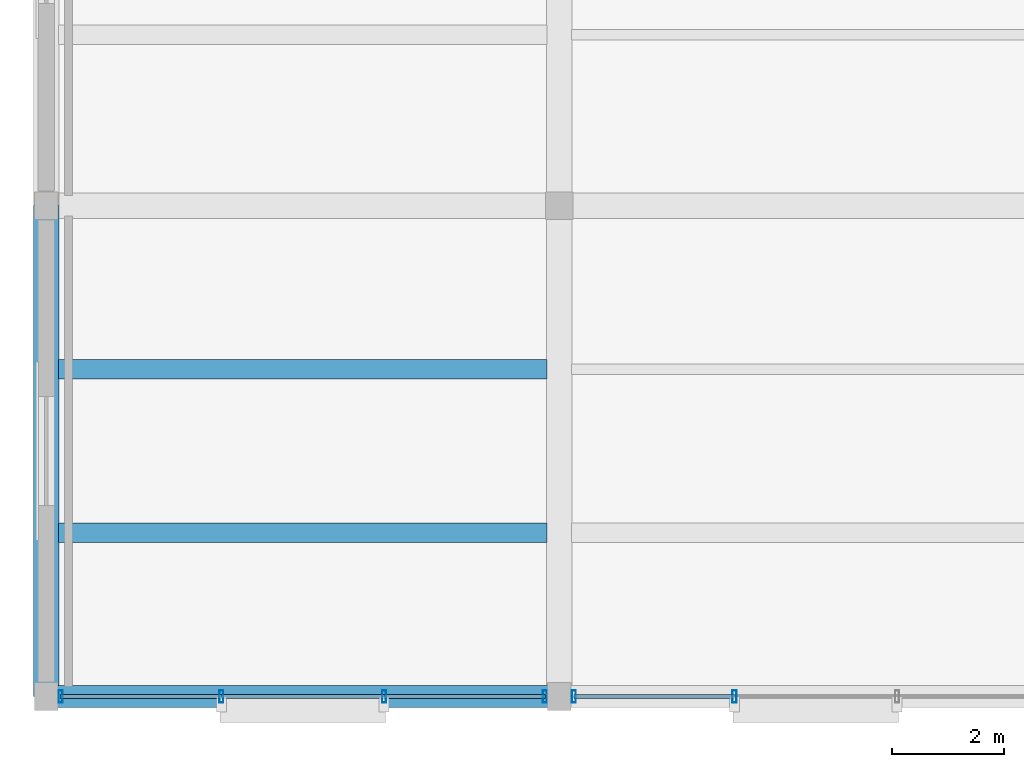
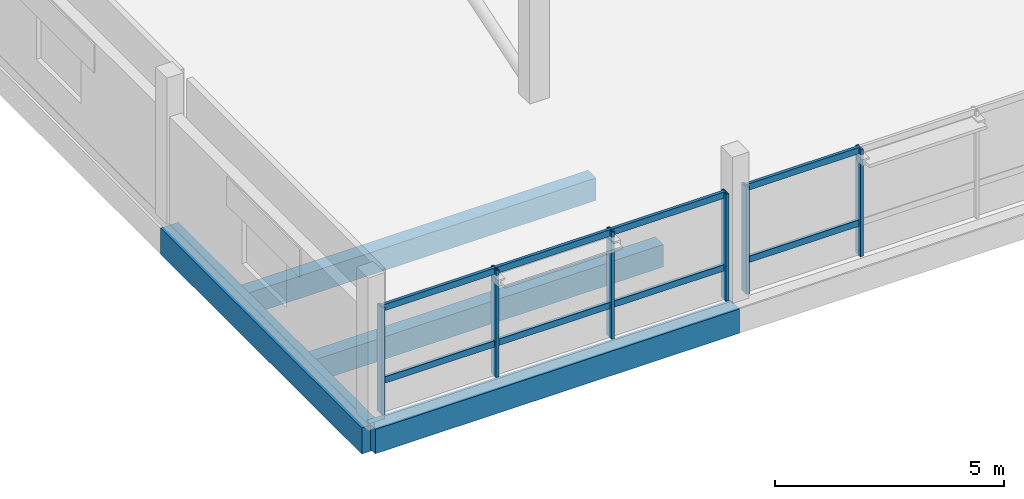
# One storey, part 6 of 62: 14 members, 4 beams, 2 elements without a shape of their own.
"""IFC4 building model written with IfcOpenShell, lengths in metres."""

from ifc_helpers import new_model, si_unit, direction, frame, origin, origin_2d, place, context, subcontext, project, spatial, rectangle, hollow_rectangle, extrude, material, layer, layer_set, material_profile, profile_set, type_object, element, aggregate, save


model = new_model("IFC4")

# Units and contexts
model_context = context("Model", 3, precision=1e-05, world=origin(), true_north=direction((0.0, 1.0)))
body_context = subcontext(model_context, "Body", "Model", "MODEL_VIEW")
ifc_project = project(units=[si_unit("LENGTHUNIT", "METRE"), si_unit("AREAUNIT", "SQUARE_METRE"), si_unit("VOLUMEUNIT", "CUBIC_METRE"), si_unit("PLANEANGLEUNIT", "RADIAN"), si_unit("MASSUNIT", "GRAM", prefix="KILO")], contexts=[model_context])

# Site, building, storey
site_placement = place(None, origin())
site = spatial("IfcSite", under=ifc_project, at=site_placement, CompositionType="ELEMENT")
building_placement = place(site_placement, origin())
building = spatial("IfcBuilding", under=site, at=building_placement, Name="Meriwether Solvik Hall", CompositionType="ELEMENT")
storey_placement = place(building_placement, frame((0.0, 0.0, 14.39990234375)))
storey = spatial("IfcBuildingStorey", under=building, at=storey_placement, Name="L03", CompositionType="ELEMENT", Elevation=14.39990234375)

# Beams
ifc_material_1 = material(Name="Concrete C40/50", Category="concrete")
ifc_material_profile_1 = material_profile(ifc_material_1, rectangle(XDim=0.35009765625, YDim=0.60009765625, at=origin_2d()), Name="RCB-350X600")
ifc_profile_set_1 = profile_set([ifc_material_profile_1], Name="Concrete C40/50")
beam_type_1 = type_object("IfcBeamType", Name="BM-RC-350X600", PredefinedType="JOIST", material=ifc_profile_set_1)
for number, where, z_axis, x_axis, name in (
    (1, (59.6201171875, 8.13330078125, -0.544921875), (1.0, 0.0, 0.0), (0.0, 1.0, 0.0), "Secondary Floor Joist 7/A_J1 (L03)"),
    (2, (59.6201171875, 11.066650390625, -0.544921875), (1.0, 0.0, 0.0), (0.0, 1.0, 0.0), "Secondary Floor Joist 7/A_J2 (L03)"),
):
    element("IfcBeam", number, at=place(storey_placement, frame(where, z_axis=z_axis, x_axis=x_axis)), inside=storey, type_object=beam_type_1, Name=name, PredefinedType="JOIST", context=body_context, shape_type="SweptSolid", body=[
        extrude(rectangle(XDim=0.35009765625, YDim=0.60009765625, at=origin_2d()), origin(), (0.0, 0.0, 1.0), 8.759765625),
    ])
ifc_material_2 = material(Name="Concrete C40/50", Category="concrete")
ifc_material_profile_2 = material_profile(ifc_material_2, rectangle(XDim=0.39990234375, YDim=0.64990234375, at=origin_2d()), Name="RCB-400X650")
ifc_profile_set_2 = profile_set([ifc_material_profile_2], Name="Concrete C40/50")
beam_type_2 = type_object("IfcBeamType", Name="BM-RC-400X650", PredefinedType="SPANDREL", material=ifc_profile_set_2)
beam_1_placement = place(storey_placement, frame((59.39990234375, 5.199951171875, -0.56982421875), z_axis=(1.0, 0.0, 0.0), x_axis=(0.0, 1.0, 0.0)))
element("IfcBeam", 3, at=beam_1_placement, inside=storey, type_object=beam_type_2, Name="Podium Girder A:7-8 (L03)", PredefinedType="SPANDREL", context=body_context, shape_type="SweptSolid", body=[
    extrude(rectangle(XDim=0.39990234375, YDim=0.64990234375, at=origin_2d()), origin(), (0.0, 0.0, 1.0), 9.2001953125),
])
ifc_material_3 = material(Name="Concrete C40/50", Category="concrete")
ifc_material_profile_3 = material_profile(ifc_material_3, rectangle(XDim=0.449951171875, YDim=0.699951171875, at=origin_2d()), Name="RCB-450X700")
ifc_profile_set_3 = profile_set([ifc_material_profile_3], Name="Concrete C40/50")
beam_type_3 = type_object("IfcBeamType", Name="BM-RC-450X700", PredefinedType="BEAM", material=ifc_profile_set_3)
beam_2_placement = place(storey_placement, frame((59.39990234375, 5.199951171875, -0.594970703125), z_axis=(0.0, 1.0, 0.0), x_axis=(-1.0, 0.0, 0.0)))
element("IfcBeam", 4, at=beam_2_placement, inside=storey, type_object=beam_type_3, Name="Podium Girder 7:A-B (L03)", PredefinedType="BEAM", context=body_context, shape_type="SweptSolid", body=[
    extrude(rectangle(XDim=0.449951171875, YDim=0.699951171875, at=origin_2d()), origin(), (0.0, 0.0, 1.0), 8.800048828125),
])

# Curtain wall, members
ifc_material_4 = material(Name="Thermally Broken Anodised Aluminium 6063-T6 and Low-E Glass", Category="aluminium")
ifc_layer = layer(ifc_material_4, 0.179931640625)
ifc_layer_set = layer_set([ifc_layer], Name="Thermally Broken Anodised Aluminium 6063-T6 and Low-E Glass")
curtain_wall_type = type_object("IfcCurtainWallType", Name="CW-UNIT-E", PredefinedType="USERDEFINED", material=ifc_layer_set)
curtain_wall_1_placement = place(storey_placement, origin())
curtain_wall_1 = element("IfcCurtainWall", 5, at=curtain_wall_1_placement, inside=storey, type_object=curtain_wall_type, Name="Curtain Wall wing_XA_7_0 (L03)", ObjectType="UNITISED CURTAIN WALL", PredefinedType="USERDEFINED")
ifc_material_5 = material(Name="Anodised Aluminium 6063-T6", Category="aluminium")
ifc_material_profile_4 = material_profile(ifc_material_5, hollow_rectangle(XDim=0.074951171875, YDim=0.219970703125, WallThickness=0.005615234375, at=origin_2d()), Name="CWM-75X220")
ifc_profile_set_4 = profile_set([ifc_material_profile_4], Name="Anodised Aluminium 6063-T6")
member_type_1 = type_object("IfcMemberType", Name="CW-MUL-75X220", PredefinedType="MULLION", material=ifc_profile_set_4)
member_1_placement = place(storey_placement, frame((68.340087890625, 5.199951171875, 0.0), z_axis=(0.0, 0.0, 1.0), x_axis=(-1.0, 0.0, 0.0)))
member_1 = element("IfcMember", 6, at=member_1_placement, type_object=member_type_1, Name="Curtain Wall Mullion 1", PredefinedType="MULLION", context=body_context, shape_type="SweptSolid", body=[
    extrude(hollow_rectangle(XDim=0.074951171875, YDim=0.219970703125, WallThickness=0.005615234375, at=origin_2d()), origin(), (0.0, 0.0, 1.0), 2.85498046875),
])
member_2_placement = place(storey_placement, frame((65.459228515625, 5.199951171875, 0.0), z_axis=(0.0, 0.0, 1.0), x_axis=(-1.0, 0.0, 0.0)))
member_2 = element("IfcMember", 7, at=member_2_placement, type_object=member_type_1, Name="Curtain Wall Mullion 2", PredefinedType="MULLION", context=body_context, shape_type="SweptSolid", body=[
    extrude(hollow_rectangle(XDim=0.074951171875, YDim=0.219970703125, WallThickness=0.005615234375, at=origin_2d()), origin(), (0.0, 0.0, 1.0), 2.85498046875),
])
member_3_placement = place(storey_placement, frame((62.540771484375, 5.199951171875, 0.0), z_axis=(0.0, 0.0, 1.0), x_axis=(-1.0, 0.0, 0.0)))
member_3 = element("IfcMember", 8, at=member_3_placement, type_object=member_type_1, Name="Curtain Wall Mullion 3", PredefinedType="MULLION", context=body_context, shape_type="SweptSolid", body=[
    extrude(hollow_rectangle(XDim=0.074951171875, YDim=0.219970703125, WallThickness=0.005615234375, at=origin_2d()), origin(), (0.0, 0.0, 1.0), 2.85498046875),
])
member_4_placement = place(storey_placement, frame((59.659912109375, 5.199951171875, 0.0), z_axis=(0.0, 0.0, 1.0), x_axis=(-1.0, 0.0, 0.0)))
member_4 = element("IfcMember", 9, at=member_4_placement, type_object=member_type_1, Name="Curtain Wall Mullion 4", PredefinedType="MULLION", context=body_context, shape_type="SweptSolid", body=[
    extrude(hollow_rectangle(XDim=0.074951171875, YDim=0.219970703125, WallThickness=0.005615234375, at=origin_2d()), origin(), (0.0, 0.0, 1.0), 2.85498046875),
])

curtain_wall_2_placement = place(storey_placement, origin())
curtain_wall_2 = element("IfcCurtainWall", 10, at=curtain_wall_2_placement, inside=storey, type_object=curtain_wall_type, Name="Curtain Wall wing_XA_8_1 (L03)", ObjectType="UNITISED CURTAIN WALL", PredefinedType="USERDEFINED")
member_5_placement = place(storey_placement, frame((71.74072265625, 5.199951171875, 0.0), z_axis=(0.0, 0.0, 1.0), x_axis=(-1.0, 0.0, 0.0)))
member_5 = element("IfcMember", 11, at=member_5_placement, type_object=member_type_1, Name="Curtain Wall Mullion 3", PredefinedType="MULLION", context=body_context, shape_type="SweptSolid", body=[
    extrude(hollow_rectangle(XDim=0.074951171875, YDim=0.219970703125, WallThickness=0.005615234375, at=origin_2d()), origin(), (0.0, 0.0, 1.0), 2.85498046875),
])
member_6_placement = place(storey_placement, frame((68.860107421875, 5.199951171875, 0.0), z_axis=(0.0, 0.0, 1.0), x_axis=(-1.0, 0.0, 0.0)))
member_6 = element("IfcMember", 12, at=member_6_placement, type_object=member_type_1, Name="Curtain Wall Mullion 4", PredefinedType="MULLION", context=body_context, shape_type="SweptSolid", body=[
    extrude(hollow_rectangle(XDim=0.074951171875, YDim=0.219970703125, WallThickness=0.005615234375, at=origin_2d()), origin(), (0.0, 0.0, 1.0), 2.85498046875),
])

# Member
ifc_material_6 = material(Name="Anodised Aluminium 6063-T6", Category="aluminium")
ifc_material_profile_5 = material_profile(ifc_material_6, hollow_rectangle(XDim=0.074951171875, YDim=0.169921875, WallThickness=0.005615234375, at=origin_2d()), Name="CWT-75X170")
ifc_profile_set_5 = profile_set([ifc_material_profile_5], Name="Anodised Aluminium 6063-T6")
member_type_2 = type_object("IfcMemberType", Name="CW-TRN-75X170", PredefinedType="USERDEFINED", material=ifc_profile_set_5)
member_7_placement = place(storey_placement, frame((68.340087890625, 5.199951171875, 0.856689453125), z_axis=(-1.0, 0.0, 0.0), x_axis=(0.0, -1.0, 0.0)))
member_7 = element("IfcMember", 13, at=member_7_placement, type_object=member_type_2, Name="Curtain Wall Transom 1-sill", ObjectType="TRANSOM", PredefinedType="USERDEFINED", context=body_context, shape_type="SweptSolid", body=[
    extrude(hollow_rectangle(XDim=0.074951171875, YDim=0.169921875, WallThickness=0.005615234375, at=origin_2d()), origin(), (0.0, 0.0, 1.0), 2.880859375),
])

member_8_placement = place(storey_placement, frame((68.340087890625, 5.199951171875, 2.795166015625), z_axis=(-1.0, 0.0, 0.0), x_axis=(0.0, -1.0, 0.0)))
member_8 = element("IfcMember", 14, at=member_8_placement, type_object=member_type_2, Name="Curtain Wall Transom 1-head", ObjectType="TRANSOM", PredefinedType="USERDEFINED", context=body_context, shape_type="SweptSolid", body=[
    extrude(hollow_rectangle(XDim=0.074951171875, YDim=0.169921875, WallThickness=0.005615234375, at=origin_2d()), origin(), (0.0, 0.0, 1.0), 2.880859375),
])

member_9_placement = place(storey_placement, frame((65.459228515625, 5.199951171875, 0.856689453125), z_axis=(-1.0, 0.0, 0.0), x_axis=(0.0, -1.0, 0.0)))
member_9 = element("IfcMember", 15, at=member_9_placement, type_object=member_type_2, Name="Curtain Wall Transom 2-sill", ObjectType="TRANSOM", PredefinedType="USERDEFINED", context=body_context, shape_type="SweptSolid", body=[
    extrude(hollow_rectangle(XDim=0.074951171875, YDim=0.169921875, WallThickness=0.005615234375, at=origin_2d()), origin(), (0.0, 0.0, 1.0), 2.91845703125),
])

member_10_placement = place(storey_placement, frame((65.459228515625, 5.199951171875, 2.795166015625), z_axis=(-1.0, 0.0, 0.0), x_axis=(0.0, -1.0, 0.0)))
member_10 = element("IfcMember", 16, at=member_10_placement, type_object=member_type_2, Name="Curtain Wall Transom 2-head", ObjectType="TRANSOM", PredefinedType="USERDEFINED", context=body_context, shape_type="SweptSolid", body=[
    extrude(hollow_rectangle(XDim=0.074951171875, YDim=0.169921875, WallThickness=0.005615234375, at=origin_2d()), origin(), (0.0, 0.0, 1.0), 2.91845703125),
])

member_11_placement = place(storey_placement, frame((62.540771484375, 5.199951171875, 0.856689453125), z_axis=(-1.0, 0.0, 0.0), x_axis=(0.0, -1.0, 0.0)))
member_11 = element("IfcMember", 17, at=member_11_placement, type_object=member_type_2, Name="Curtain Wall Transom 3-sill", ObjectType="TRANSOM", PredefinedType="USERDEFINED", context=body_context, shape_type="SweptSolid", body=[
    extrude(hollow_rectangle(XDim=0.074951171875, YDim=0.169921875, WallThickness=0.005615234375, at=origin_2d()), origin(), (0.0, 0.0, 1.0), 2.880859375),
])

member_12_placement = place(storey_placement, frame((62.540771484375, 5.199951171875, 2.795166015625), z_axis=(-1.0, 0.0, 0.0), x_axis=(0.0, -1.0, 0.0)))
member_12 = element("IfcMember", 18, at=member_12_placement, type_object=member_type_2, Name="Curtain Wall Transom 3-head", ObjectType="TRANSOM", PredefinedType="USERDEFINED", context=body_context, shape_type="SweptSolid", body=[
    extrude(hollow_rectangle(XDim=0.074951171875, YDim=0.169921875, WallThickness=0.005615234375, at=origin_2d()), origin(), (0.0, 0.0, 1.0), 2.880859375),
])

aggregate(curtain_wall_1, [member_1, member_2, member_3, member_4, member_7, member_8, member_9, member_10, member_11, member_12])

member_13_placement = place(storey_placement, frame((71.74072265625, 5.199951171875, 0.856689453125), z_axis=(-1.0, 0.0, 0.0), x_axis=(0.0, -1.0, 0.0)))
member_13 = element("IfcMember", 19, at=member_13_placement, type_object=member_type_2, Name="Curtain Wall Transom 3-sill", ObjectType="TRANSOM", PredefinedType="USERDEFINED", context=body_context, shape_type="SweptSolid", body=[
    extrude(hollow_rectangle(XDim=0.074951171875, YDim=0.169921875, WallThickness=0.005615234375, at=origin_2d()), origin(), (0.0, 0.0, 1.0), 2.880615234375),
])

member_14_placement = place(storey_placement, frame((71.74072265625, 5.199951171875, 2.795166015625), z_axis=(-1.0, 0.0, 0.0), x_axis=(0.0, -1.0, 0.0)))
member_14 = element("IfcMember", 20, at=member_14_placement, type_object=member_type_2, Name="Curtain Wall Transom 3-head", ObjectType="TRANSOM", PredefinedType="USERDEFINED", context=body_context, shape_type="SweptSolid", body=[
    extrude(hollow_rectangle(XDim=0.074951171875, YDim=0.169921875, WallThickness=0.005615234375, at=origin_2d()), origin(), (0.0, 0.0, 1.0), 2.880615234375),
])

aggregate(curtain_wall_2, [member_5, member_6, member_13, member_14])

save(model, "model.ifc")
